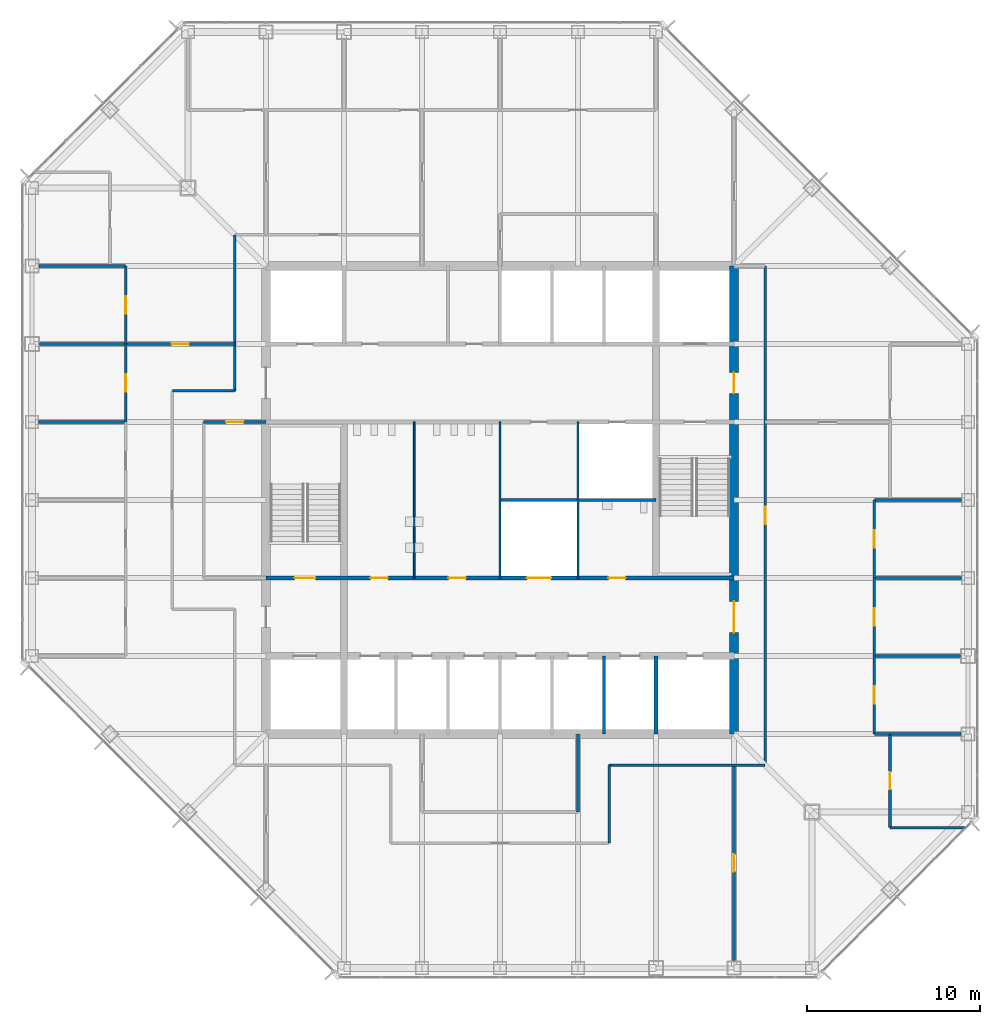
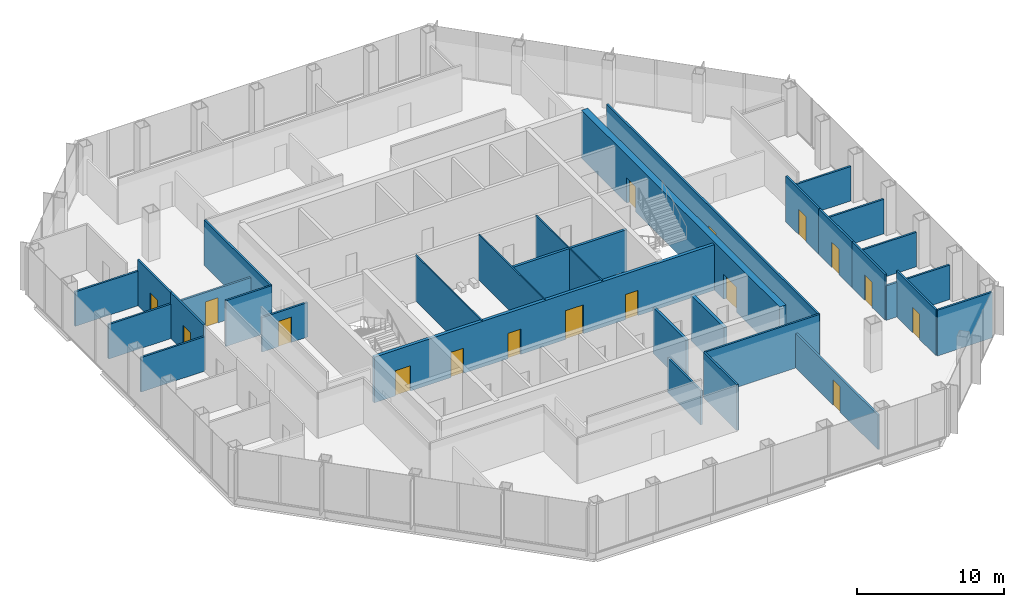
# One storey, part 9 of 13: 32 walls, 17 doors, 17 openings.
"""IFC4 building model written with IfcOpenShell, lengths in metres."""

from ifc_helpers import new_model, si_unit, direction, frame, frame_2d, origin, place, context, subcontext, project, spatial, rectangle, extrude, material, layer, layer_set, type_object, element, fill, save


model = new_model("IFC4")

# Units and contexts
model_context = context("Model", 3, precision=1e-05, world=origin(), true_north=direction((0.0, 1.0)))
body_context = subcontext(model_context, "Body", "Model", "MODEL_VIEW")
ifc_project = project(units=[si_unit("LENGTHUNIT", "METRE"), si_unit("AREAUNIT", "SQUARE_METRE"), si_unit("VOLUMEUNIT", "CUBIC_METRE"), si_unit("PLANEANGLEUNIT", "RADIAN"), si_unit("MASSUNIT", "GRAM", prefix="KILO")], contexts=[model_context])

# Site, building, storey
site_placement = place(None, origin())
site = spatial("IfcSite", under=ifc_project, at=site_placement, CompositionType="ELEMENT")
building_placement = place(site_placement, origin())
building = spatial("IfcBuilding", under=site, at=building_placement, Name="Corais Broadcast Tower", CompositionType="ELEMENT")
storey_placement = place(building_placement, frame((0.0, 0.0, 195.60009765625)))
storey = spatial("IfcBuildingStorey", under=building, at=storey_placement, Name="L45", CompositionType="ELEMENT", Elevation=195.60009765625)

# Wall
ifc_material_1 = material(Name="Concrete blockwork class A, grouted, two-hour", Category="masonry")
ifc_layer_1 = layer(ifc_material_1, 0.25)
ifc_layer_set_1 = layer_set([ifc_layer_1], Name="Concrete blockwork class A, grouted, two-hour")
wall_type_1 = type_object("IfcWallType", Name="Core lobby wall 250", PredefinedType="SOLIDWALL", material=ifc_layer_set_1)
wall_1_placement = place(storey_placement, frame((36.0, 13.5, 0.0), z_axis=(0.0, 0.0, 1.0), x_axis=(0.0, 1.0, 0.0)))
element("IfcWall", 1, at=wall_1_placement, inside=storey, type_object=wall_type_1, Name="CL2 core shaft wall X36A L45", PredefinedType="SOLIDWALL", context=body_context, shape_type="SweptSolid", body=[
    extrude(rectangle(XDim=4.5, YDim=0.25, at=frame_2d((2.25, 0.0))), origin(), (0.0, 0.0, 1.0), 3.7998046875),
])

# Wall, openings, doors
wall_2_placement = place(storey_placement, frame((13.5, 22.5, 0.0), z_axis=(0.0, 0.0, 1.0), x_axis=(1.0, 0.0, 0.0)))
wall_2 = element("IfcWall", 2, at=wall_2_placement, inside=storey, type_object=wall_type_1, Name="CL2 core lobby wall Y225 L45", PredefinedType="SOLIDWALL", context=body_context, shape_type="SweptSolid", body=[
    extrude(rectangle(XDim=27.0, YDim=0.25, at=frame_2d((13.5, 0.0))), origin(), (0.0, 0.0, 1.0), 3.7998046875),
])
opening_1_placement = place(wall_2_placement, frame((1.64990234375, 0.0, 0.0)))
opening_1 = element("IfcOpeningElement", 3, at=opening_1_placement, cuts=wall_2, Name="Opening FD1", PredefinedType="OPENING", context=body_context, shape_type="SweptSolid", body=[
    extrude(rectangle(XDim=1.199951171875, YDim=2.10009765625, at=frame_2d((0.60009765625, 1.050048828125))), frame((0.0, 0.135009765625, 0.0), z_axis=(0.0, -1.0, 0.0), x_axis=(1.0, 0.0, 0.0)), (0.0, 0.0, 1.0), 0.27001953125),
])
opening_2_placement = place(wall_2_placement, frame((6.02490234375, 0.0, 0.0)))
opening_2 = element("IfcOpeningElement", 4, at=opening_2_placement, cuts=wall_2, Name="Opening WD1", PredefinedType="OPENING", context=body_context, shape_type="SweptSolid", body=[
    extrude(rectangle(XDim=1.0, YDim=2.10009765625, at=frame_2d((0.5, 1.050048828125))), frame((0.0, 0.135009765625, 0.0), z_axis=(0.0, -1.0, 0.0), x_axis=(1.0, 0.0, 0.0)), (0.0, 0.0, 1.0), 0.27001953125),
])
opening_3_placement = place(wall_2_placement, frame((10.52490234375, 0.0, 0.0)))
opening_3 = element("IfcOpeningElement", 5, at=opening_3_placement, cuts=wall_2, Name="Opening WD1", PredefinedType="OPENING", context=body_context, shape_type="SweptSolid", body=[
    extrude(rectangle(XDim=1.0, YDim=2.10009765625, at=frame_2d((0.5, 1.050048828125))), frame((0.0, 0.135009765625, 0.0), z_axis=(0.0, -1.0, 0.0), x_axis=(1.0, 0.0, 0.0)), (0.0, 0.0, 1.0), 0.27001953125),
])
opening_4_placement = place(wall_2_placement, frame((19.75, 0.0, 0.0)))
opening_4 = element("IfcOpeningElement", 6, at=opening_4_placement, cuts=wall_2, Name="Opening WD1", PredefinedType="OPENING", context=body_context, shape_type="SweptSolid", body=[
    extrude(rectangle(XDim=1.0, YDim=2.10009765625, at=frame_2d((0.5, 1.050048828125))), frame((0.0, 0.135009765625, 0.0), z_axis=(0.0, -1.0, 0.0), x_axis=(1.0, 0.0, 0.0)), (0.0, 0.0, 1.0), 0.27001953125),
])
opening_5_placement = place(wall_2_placement, frame((15.050048828125, 0.0, 0.0)))
opening_5 = element("IfcOpeningElement", 7, at=opening_5_placement, cuts=wall_2, Name="Opening LD3", PredefinedType="OPENING", context=body_context, shape_type="SweptSolid", body=[
    extrude(rectangle(XDim=1.39990234375, YDim=2.39990234375, at=frame_2d((0.699951171875, 1.199951171875))), frame((0.0, 0.135009765625, 0.0), z_axis=(0.0, -1.0, 0.0), x_axis=(1.0, 0.0, 0.0)), (0.0, 0.0, 1.0), 0.27001953125),
])
ifc_material_2 = material(Name="Steel fire door", Category="steel")
door_type_1 = type_object("IfcDoorType", Name="Fire door 1200x2100", OperationType="SINGLE_SWING_LEFT", PredefinedType="DOOR", material=ifc_material_2)
door_1_placement = place(opening_1_placement, origin())
door_1 = element("IfcDoor", 8, at=door_1_placement, inside=storey, type_object=door_type_1, Name="FD1 stair A door L45", OperationType="SINGLE_SWING_LEFT", OverallHeight=2.10009765625, OverallWidth=1.199951171875, PredefinedType="DOOR", context=body_context, shape_type="SweptSolid", body=[
    extrude(rectangle(XDim=1.199951171875, YDim=2.10009765625, at=frame_2d((0.60009765625, 1.050048828125))), frame((0.0, 0.02490234375, 0.0), z_axis=(0.0, -1.0, 0.0), x_axis=(1.0, 0.0, 0.0)), (0.0, 0.0, 1.0), 0.050048828125),
])
fill(opening_1, door_1)
ifc_material_3 = material(Name="Stainless steel lift door", Category="steel")
door_type_2 = type_object("IfcDoorType", Name="Service lift landing door 1400x2400", OperationType="SLIDING_TO_LEFT", PredefinedType="DOOR", material=ifc_material_3)
door_2_placement = place(opening_5_placement, origin())
door_2 = element("IfcDoor", 9, at=door_2_placement, inside=storey, type_object=door_type_2, Name="LD3 SL1 landing door L45", OperationType="SLIDING_TO_LEFT", OverallHeight=2.39990234375, OverallWidth=1.39990234375, PredefinedType="DOOR", context=body_context, shape_type="SweptSolid", body=[
    extrude(rectangle(XDim=1.39990234375, YDim=2.39990234375, at=frame_2d((0.699951171875, 1.199951171875))), frame((0.0, 0.02490234375, 0.0), z_axis=(0.0, -1.0, 0.0), x_axis=(1.0, 0.0, 0.0)), (0.0, 0.0, 1.0), 0.050048828125),
])
fill(opening_5, door_2)
ifc_material_4 = material(Name="Timber door", Category="wood")
door_type_3 = type_object("IfcDoorType", Name="Toilet door 1000x2100", OperationType="SINGLE_SWING_LEFT", PredefinedType="DOOR", material=ifc_material_4)
door_3_placement = place(opening_2_placement, origin())
door_3 = element("IfcDoor", 10, at=door_3_placement, inside=storey, type_object=door_type_3, Name="WD1 WC male door L45", OperationType="SINGLE_SWING_LEFT", OverallHeight=2.10009765625, OverallWidth=1.0, PredefinedType="DOOR", context=body_context, shape_type="SweptSolid", body=[
    extrude(rectangle(XDim=1.0, YDim=2.10009765625, at=frame_2d((0.5, 1.050048828125))), frame((0.0, 0.02490234375, 0.0), z_axis=(0.0, -1.0, 0.0), x_axis=(1.0, 0.0, 0.0)), (0.0, 0.0, 1.0), 0.050048828125),
])
fill(opening_2, door_3)
door_4_placement = place(opening_3_placement, origin())
door_4 = element("IfcDoor", 11, at=door_4_placement, inside=storey, type_object=door_type_3, Name="WD1 WC female door L45", OperationType="SINGLE_SWING_LEFT", OverallHeight=2.10009765625, OverallWidth=1.0, PredefinedType="DOOR", context=body_context, shape_type="SweptSolid", body=[
    extrude(rectangle(XDim=1.0, YDim=2.10009765625, at=frame_2d((0.5, 1.050048828125))), frame((0.0, 0.02490234375, 0.0), z_axis=(0.0, -1.0, 0.0), x_axis=(1.0, 0.0, 0.0)), (0.0, 0.0, 1.0), 0.050048828125),
])
fill(opening_3, door_4)
door_5_placement = place(opening_4_placement, origin())
door_5 = element("IfcDoor", 12, at=door_5_placement, inside=storey, type_object=door_type_3, Name="WD1 accessible WC door L45", OperationType="SINGLE_SWING_RIGHT", OverallHeight=2.10009765625, OverallWidth=1.0, PredefinedType="DOOR", context=body_context, shape_type="SweptSolid", body=[
    extrude(rectangle(XDim=1.0, YDim=2.10009765625, at=frame_2d((0.5, 1.050048828125))), frame((0.0, 0.02490234375, 0.0), z_axis=(0.0, -1.0, 0.0), x_axis=(1.0, 0.0, 0.0)), (0.0, 0.0, 1.0), 0.050048828125),
])
fill(opening_4, door_5)

ifc_material_5 = material(Name="Concrete C50/60", Category="concrete")
ifc_layer_2 = layer(ifc_material_5, 0.5)
ifc_layer_set_2 = layer_set([ifc_layer_2], Name="Concrete C50/60")
wall_type_2 = type_object("IfcWallType", Name="Core wall 500", PredefinedType="SHEAR", material=ifc_layer_set_2)
wall_3_placement = place(storey_placement, frame((40.5, 13.5, 0.0), z_axis=(0.0, 0.0, 1.0), x_axis=(0.0, 1.0, 0.0)))
wall_3 = element("IfcWall", 13, at=wall_3_placement, inside=storey, type_object=wall_type_2, Name="CR500 core wall E L45", PredefinedType="SHEAR", context=body_context, shape_type="SweptSolid", body=[
    extrude(rectangle(XDim=27.0, YDim=0.5, at=frame_2d((13.5, 0.0))), origin(), (0.0, 0.0, 1.0), 4.0),
])
opening_6_placement = place(wall_3_placement, frame((5.85009765625, 0.0, 0.0)))
opening_6 = element("IfcOpeningElement", 14, at=opening_6_placement, cuts=wall_3, Name="Opening FD2", PredefinedType="OPENING", context=body_context, shape_type="SweptSolid", body=[
    extrude(rectangle(XDim=1.800048828125, YDim=2.10009765625, at=frame_2d((0.89990234375, 1.050048828125))), frame((0.0, 0.260009765625, 0.0), z_axis=(0.0, -1.0, 0.0), x_axis=(1.0, 0.0, 0.0)), (0.0, 0.0, 1.0), 0.52001953125),
])
opening_7_placement = place(wall_3_placement, frame((19.64990234375, 0.0, 0.0)))
opening_7 = element("IfcOpeningElement", 15, at=opening_7_placement, cuts=wall_3, Name="Opening FD1", PredefinedType="OPENING", context=body_context, shape_type="SweptSolid", body=[
    extrude(rectangle(XDim=1.199951171875, YDim=2.10009765625, at=frame_2d((0.60009765625, 1.050048828125))), frame((0.0, 0.260009765625, 0.0), z_axis=(0.0, -1.0, 0.0), x_axis=(1.0, 0.0, 0.0)), (0.0, 0.0, 1.0), 0.52001953125),
])
door_6_placement = place(opening_7_placement, origin())
door_6 = element("IfcDoor", 16, at=door_6_placement, inside=storey, type_object=door_type_1, Name="FD1 fire lobby B door L45", OperationType="SINGLE_SWING_RIGHT", OverallHeight=2.10009765625, OverallWidth=1.199951171875, PredefinedType="DOOR", context=body_context, shape_type="SweptSolid", body=[
    extrude(rectangle(XDim=1.199951171875, YDim=2.10009765625, at=frame_2d((0.60009765625, 1.050048828125))), frame((0.0, 0.02490234375, 0.0), z_axis=(0.0, -1.0, 0.0), x_axis=(1.0, 0.0, 0.0)), (0.0, 0.0, 1.0), 0.050048828125),
])
fill(opening_7, door_6)
ifc_material_6 = material(Name="Steel fire door", Category="steel")
door_type_4 = type_object("IfcDoorType", Name="Fire door pair 1800x2100", OperationType="DOUBLE_DOOR_SINGLE_SWING", PredefinedType="DOOR", material=ifc_material_6)
door_7_placement = place(opening_6_placement, origin())
door_7 = element("IfcDoor", 17, at=door_7_placement, inside=storey, type_object=door_type_4, Name="FD2 lift lobby door L45", OperationType="SINGLE_SWING_LEFT", OverallHeight=2.10009765625, OverallWidth=1.800048828125, PredefinedType="DOOR", context=body_context, shape_type="SweptSolid", body=[
    extrude(rectangle(XDim=1.800048828125, YDim=2.10009765625, at=frame_2d((0.89990234375, 1.050048828125))), frame((0.0, 0.02490234375, 0.0), z_axis=(0.0, -1.0, 0.0), x_axis=(1.0, 0.0, 0.0)), (0.0, 0.0, 1.0), 0.050048828125),
])
fill(opening_6, door_7)

# Wall, opening, door
ifc_material_7 = material(Name="Gypsum board on steel studs", Category="steel")
ifc_layer_3 = layer(ifc_material_7, 0.14990234375)
ifc_layer_set_3 = layer_set([ifc_layer_3], Name="Gypsum board on steel studs")
wall_type_3 = type_object("IfcWallType", Name="Partition 150", PredefinedType="PARTITIONING", material=ifc_layer_set_3)
wall_4_placement = place(storey_placement, frame((42.300048828125, 11.699951171875, 0.0), z_axis=(0.0, 0.0, 1.0), x_axis=(0.0, 1.0, 0.0)))
wall_4 = element("IfcWall", 18, at=wall_4_placement, inside=storey, type_object=wall_type_3, Name="IW3 corridor wall L45", PredefinedType="PARTITIONING", context=body_context, shape_type="SweptSolid", body=[
    extrude(rectangle(XDim=28.800048828125, YDim=0.14990234375, at=frame_2d((14.39990234375, 0.0))), origin(), (0.0, 0.0, 1.0), 3.7998046875),
])
opening_8_placement = place(wall_4_placement, frame((13.89990234375, 0.0, 0.0)))
opening_8 = element("IfcOpeningElement", 19, at=opening_8_placement, cuts=wall_4, Name="Opening D1", PredefinedType="OPENING", context=body_context, shape_type="SweptSolid", body=[
    extrude(rectangle(XDim=1.0, YDim=2.10009765625, at=frame_2d((0.5, 1.050048828125))), frame((0.0, 0.0849609375, 0.0), z_axis=(0.0, -1.0, 0.0), x_axis=(1.0, 0.0, 0.0)), (0.0, 0.0, 1.0), 0.169921875),
])
ifc_material_8 = material(Name="Timber door", Category="wood")
door_type_5 = type_object("IfcDoorType", Name="Single door 1000x2100", OperationType="SINGLE_SWING_LEFT", PredefinedType="DOOR", material=ifc_material_8)
door_8_placement = place(opening_8_placement, origin())
door_8 = element("IfcDoor", 20, at=door_8_placement, inside=storey, type_object=door_type_5, Name="D1 workplace door L45", OperationType="SINGLE_SWING_LEFT", OverallHeight=2.10009765625, OverallWidth=1.0, PredefinedType="DOOR", context=body_context, shape_type="SweptSolid", body=[
    extrude(rectangle(XDim=1.0, YDim=2.10009765625, at=frame_2d((0.5, 1.050048828125))), frame((0.0, 0.02490234375, 0.0), z_axis=(0.0, -1.0, 0.0), x_axis=(1.0, 0.0, 0.0)), (0.0, 0.0, 1.0), 0.050048828125),
])
fill(opening_8, door_8)

# Walls
for number, where, z_axis, x_axis, name in (
    (21, (11.699951171875, 42.300048828125, 0.0), (0.0, 0.0, 1.0), (0.0, -1.0, 0.0), "IW3 corridor wall L45"),
    (22, (33.300048828125, 11.699951171875, 0.0), (0.0, 0.0, 1.0), (1.0, 0.0, 0.0), "IW3 corridor wall L45"),
):
    element("IfcWall", number, at=place(storey_placement, frame(where, z_axis=z_axis, x_axis=x_axis)), inside=storey, type_object=wall_type_3, Name=name, PredefinedType="PARTITIONING", context=body_context, shape_type="SweptSolid", body=[
        extrude(rectangle(XDim=9.0, YDim=0.14990234375, at=frame_2d((4.5, 0.0))), origin(), (0.0, 0.0, 1.0), 3.7998046875),
    ])
wall_5_placement = place(storey_placement, frame((33.300048828125, 7.199951171875, 0.0), z_axis=(0.0, 0.0, 1.0), x_axis=(0.0, 1.0, 0.0)))
element("IfcWall", 23, at=wall_5_placement, inside=storey, type_object=wall_type_3, Name="IW3 corridor wall L45", PredefinedType="PARTITIONING", context=body_context, shape_type="SweptSolid", body=[
    extrude(rectangle(XDim=4.5, YDim=0.14990234375, at=frame_2d((2.25, 0.0))), origin(), (0.0, 0.0, 1.0), 3.7998046875),
])
wall_6_placement = place(storey_placement, frame((11.699951171875, 33.300048828125, 0.0), z_axis=(0.0, 0.0, 1.0), x_axis=(-1.0, 0.0, 0.0)))
element("IfcWall", 24, at=wall_6_placement, inside=storey, type_object=wall_type_3, Name="IW3 corridor wall L45", PredefinedType="PARTITIONING", context=body_context, shape_type="SweptSolid", body=[
    extrude(rectangle(XDim=3.599853515625, YDim=0.14990234375, at=frame_2d((1.7998046875, 0.0))), origin(), (0.0, 0.0, 1.0), 3.7998046875),
])
wall_7_placement = place(storey_placement, frame((49.5, 8.10009765625, 0.0), z_axis=(0.0, 0.0, 1.0), x_axis=(1.0, 0.0, 0.0)))
element("IfcWall", 25, at=wall_7_placement, inside=storey, type_object=wall_type_3, Name="IW3 partition L45", PredefinedType="PARTITIONING", context=body_context, shape_type="SweptSolid", body=[
    extrude(rectangle(XDim=4.33544921875, YDim=0.14990234375, at=frame_2d((2.167724609375, 0.0))), origin(), (0.0, 0.0, 1.0), 3.7998046875),
])
wall_8_placement = place(storey_placement, frame((53.590087890625, 13.5, 0.0), z_axis=(0.0, 0.0, 1.0), x_axis=(-1.0, 0.0, 0.0)))
element("IfcWall", 26, at=wall_8_placement, inside=storey, type_object=wall_type_3, Name="IW3 partition L45", PredefinedType="PARTITIONING", context=body_context, shape_type="SweptSolid", body=[
    extrude(rectangle(XDim=4.090087890625, YDim=0.14990234375, at=frame_2d((2.044921875, 0.0))), origin(), (0.0, 0.0, 1.0), 2.867919921875),
])

# Wall, opening, door
wall_9_placement = place(storey_placement, frame((49.5, 13.5, 0.0), z_axis=(0.0, 0.0, 1.0), x_axis=(0.0, -1.0, 0.0)))
wall_9 = element("IfcWall", 27, at=wall_9_placement, inside=storey, type_object=wall_type_3, Name="IW3 partition L45", PredefinedType="PARTITIONING", context=body_context, shape_type="SweptSolid", body=[
    extrude(rectangle(XDim=5.39990234375, YDim=0.14990234375, at=frame_2d((2.699951171875, 0.0))), origin(), (0.0, 0.0, 1.0), 3.7998046875),
])
opening_9_placement = place(wall_9_placement, frame((2.199951171875, 0.0, 0.0)))
opening_9 = element("IfcOpeningElement", 28, at=opening_9_placement, cuts=wall_9, Name="Opening D1", PredefinedType="OPENING", context=body_context, shape_type="SweptSolid", body=[
    extrude(rectangle(XDim=1.0, YDim=2.10009765625, at=frame_2d((0.5, 1.050048828125))), frame((0.0, 0.0849609375, 0.0), z_axis=(0.0, -1.0, 0.0), x_axis=(1.0, 0.0, 0.0)), (0.0, 0.0, 1.0), 0.169921875),
])
door_9_placement = place(opening_9_placement, origin())
door_9 = element("IfcDoor", 29, at=door_9_placement, inside=storey, type_object=door_type_5, Name="D1 Counselling room door", OperationType="SINGLE_SWING_LEFT", OverallHeight=2.10009765625, OverallWidth=1.0, PredefinedType="DOOR", context=body_context, shape_type="SweptSolid", body=[
    extrude(rectangle(XDim=1.0, YDim=2.10009765625, at=frame_2d((0.5, 1.050048828125))), frame((0.0, 0.02490234375, 0.0), z_axis=(0.0, -1.0, 0.0), x_axis=(1.0, 0.0, 0.0)), (0.0, 0.0, 1.0), 0.050048828125),
])
fill(opening_9, door_9)

# Walls
wall_10_placement = place(storey_placement, frame((48.60009765625, 13.5, 0.0), z_axis=(0.0, 0.0, 1.0), x_axis=(1.0, 0.0, 0.0)))
element("IfcWall", 30, at=wall_10_placement, inside=storey, type_object=wall_type_3, Name="IW3 partition L45", PredefinedType="PARTITIONING", context=body_context, shape_type="SweptSolid", body=[
    extrude(rectangle(XDim=0.89990234375, YDim=0.14990234375, at=frame_2d((0.449951171875, 0.0))), origin(), (0.0, 0.0, 1.0), 2.867919921875),
])
wall_11_placement = place(storey_placement, frame((53.56494140625, 18.0, 0.0), z_axis=(0.0, 0.0, 1.0), x_axis=(-1.0, 0.0, 0.0)))
element("IfcWall", 31, at=wall_11_placement, inside=storey, type_object=wall_type_3, Name="IW3 partition L45", PredefinedType="PARTITIONING", context=body_context, shape_type="SweptSolid", body=[
    extrude(rectangle(XDim=4.96484375, YDim=0.14990234375, at=frame_2d((2.482421875, 0.0))), origin(), (0.0, 0.0, 1.0), 2.867919921875),
])

# Wall, opening, door
wall_12_placement = place(storey_placement, frame((48.60009765625, 18.0, 0.0), z_axis=(0.0, 0.0, 1.0), x_axis=(0.0, -1.0, 0.0)))
wall_12 = element("IfcWall", 32, at=wall_12_placement, inside=storey, type_object=wall_type_3, Name="IW3 partition L45", PredefinedType="PARTITIONING", context=body_context, shape_type="SweptSolid", body=[
    extrude(rectangle(XDim=4.5, YDim=0.14990234375, at=frame_2d((2.25, 0.0))), origin(), (0.0, 0.0, 1.0), 3.7998046875),
])
opening_10_placement = place(wall_12_placement, frame((1.75, 0.0, 0.0)))
opening_10 = element("IfcOpeningElement", 33, at=opening_10_placement, cuts=wall_12, Name="Opening D1", PredefinedType="OPENING", context=body_context, shape_type="SweptSolid", body=[
    extrude(rectangle(XDim=1.0, YDim=2.10009765625, at=frame_2d((0.5, 1.050048828125))), frame((0.0, 0.0849609375, 0.0), z_axis=(0.0, -1.0, 0.0), x_axis=(1.0, 0.0, 0.0)), (0.0, 0.0, 1.0), 0.169921875),
])
door_10_placement = place(opening_10_placement, origin())
door_10 = element("IfcDoor", 34, at=door_10_placement, inside=storey, type_object=door_type_5, Name="D1 Counselling room door", OperationType="SINGLE_SWING_LEFT", OverallHeight=2.10009765625, OverallWidth=1.0, PredefinedType="DOOR", context=body_context, shape_type="SweptSolid", body=[
    extrude(rectangle(XDim=1.0, YDim=2.10009765625, at=frame_2d((0.5, 1.050048828125))), frame((0.0, 0.02490234375, 0.0), z_axis=(0.0, -1.0, 0.0), x_axis=(1.0, 0.0, 0.0)), (0.0, 0.0, 1.0), 0.050048828125),
])
fill(opening_10, door_10)

# Wall
wall_13_placement = place(storey_placement, frame((53.614990234375, 22.5, 0.0), z_axis=(0.0, 0.0, 1.0), x_axis=(-1.0, 0.0, 0.0)))
element("IfcWall", 35, at=wall_13_placement, inside=storey, type_object=wall_type_3, Name="IW3 partition L45", PredefinedType="PARTITIONING", context=body_context, shape_type="SweptSolid", body=[
    extrude(rectangle(XDim=5.014892578125, YDim=0.14990234375, at=frame_2d((2.50732421875, 0.0))), origin(), (0.0, 0.0, 1.0), 2.867919921875),
])

# Wall, opening, door
wall_14_placement = place(storey_placement, frame((48.60009765625, 22.5, 0.0), z_axis=(0.0, 0.0, 1.0), x_axis=(0.0, -1.0, 0.0)))
wall_14 = element("IfcWall", 36, at=wall_14_placement, inside=storey, type_object=wall_type_3, Name="IW3 partition L45", PredefinedType="PARTITIONING", context=body_context, shape_type="SweptSolid", body=[
    extrude(rectangle(XDim=4.5, YDim=0.14990234375, at=frame_2d((2.25, 0.0))), origin(), (0.0, 0.0, 1.0), 3.7998046875),
])
opening_11_placement = place(wall_14_placement, frame((1.75, 0.0, 0.0)))
opening_11 = element("IfcOpeningElement", 37, at=opening_11_placement, cuts=wall_14, Name="Opening D1", PredefinedType="OPENING", context=body_context, shape_type="SweptSolid", body=[
    extrude(rectangle(XDim=1.0, YDim=2.10009765625, at=frame_2d((0.5, 1.050048828125))), frame((0.0, 0.0849609375, 0.0), z_axis=(0.0, -1.0, 0.0), x_axis=(1.0, 0.0, 0.0)), (0.0, 0.0, 1.0), 0.169921875),
])
door_11_placement = place(opening_11_placement, origin())
door_11 = element("IfcDoor", 38, at=door_11_placement, inside=storey, type_object=door_type_5, Name="D1 Counselling room door", OperationType="SINGLE_SWING_LEFT", OverallHeight=2.10009765625, OverallWidth=1.0, PredefinedType="DOOR", context=body_context, shape_type="SweptSolid", body=[
    extrude(rectangle(XDim=1.0, YDim=2.10009765625, at=frame_2d((0.5, 1.050048828125))), frame((0.0, 0.02490234375, 0.0), z_axis=(0.0, -1.0, 0.0), x_axis=(1.0, 0.0, 0.0)), (0.0, 0.0, 1.0), 0.050048828125),
])
fill(opening_11, door_11)

# Wall
wall_15_placement = place(storey_placement, frame((53.614990234375, 27.0, 0.0), z_axis=(0.0, 0.0, 1.0), x_axis=(-1.0, 0.0, 0.0)))
element("IfcWall", 39, at=wall_15_placement, inside=storey, type_object=wall_type_3, Name="IW3 partition L45", PredefinedType="PARTITIONING", context=body_context, shape_type="SweptSolid", body=[
    extrude(rectangle(XDim=5.014892578125, YDim=0.14990234375, at=frame_2d((2.50732421875, 0.0))), origin(), (0.0, 0.0, 1.0), 2.867919921875),
])

# Wall, opening, door
wall_16_placement = place(storey_placement, frame((48.60009765625, 27.0, 0.0), z_axis=(0.0, 0.0, 1.0), x_axis=(0.0, -1.0, 0.0)))
wall_16 = element("IfcWall", 40, at=wall_16_placement, inside=storey, type_object=wall_type_3, Name="IW3 partition L45", PredefinedType="PARTITIONING", context=body_context, shape_type="SweptSolid", body=[
    extrude(rectangle(XDim=4.5, YDim=0.14990234375, at=frame_2d((2.25, 0.0))), origin(), (0.0, 0.0, 1.0), 3.7998046875),
])
opening_12_placement = place(wall_16_placement, frame((1.75, 0.0, 0.0)))
opening_12 = element("IfcOpeningElement", 41, at=opening_12_placement, cuts=wall_16, Name="Opening D1", PredefinedType="OPENING", context=body_context, shape_type="SweptSolid", body=[
    extrude(rectangle(XDim=1.0, YDim=2.10009765625, at=frame_2d((0.5, 1.050048828125))), frame((0.0, 0.0849609375, 0.0), z_axis=(0.0, -1.0, 0.0), x_axis=(1.0, 0.0, 0.0)), (0.0, 0.0, 1.0), 0.169921875),
])
door_12_placement = place(opening_12_placement, origin())
door_12 = element("IfcDoor", 42, at=door_12_placement, inside=storey, type_object=door_type_5, Name="D1 Counselling room door", OperationType="SINGLE_SWING_LEFT", OverallHeight=2.10009765625, OverallWidth=1.0, PredefinedType="DOOR", context=body_context, shape_type="SweptSolid", body=[
    extrude(rectangle(XDim=1.0, YDim=2.10009765625, at=frame_2d((0.5, 1.050048828125))), frame((0.0, 0.02490234375, 0.0), z_axis=(0.0, -1.0, 0.0), x_axis=(1.0, 0.0, 0.0)), (0.0, 0.0, 1.0), 0.050048828125),
])
fill(opening_12, door_12)

wall_17_placement = place(storey_placement, frame((13.5, 31.5, 0.0), z_axis=(0.0, 0.0, 1.0), x_axis=(-1.0, 0.0, 0.0)))
wall_17 = element("IfcWall", 43, at=wall_17_placement, inside=storey, type_object=wall_type_3, Name="IW3 partition L45", PredefinedType="PARTITIONING", context=body_context, shape_type="SweptSolid", body=[
    extrude(rectangle(XDim=3.60009765625, YDim=0.14990234375, at=frame_2d((1.800048828125, 0.0))), origin(), (0.0, 0.0, 1.0), 2.867919921875),
])
opening_13_placement = place(wall_17_placement, frame((1.300048828125, 0.0, 0.0)))
opening_13 = element("IfcOpeningElement", 44, at=opening_13_placement, cuts=wall_17, Name="Opening D1", PredefinedType="OPENING", context=body_context, shape_type="SweptSolid", body=[
    extrude(rectangle(XDim=1.0, YDim=2.10009765625, at=frame_2d((0.5, 1.050048828125))), frame((0.0, 0.0849609375, 0.0), z_axis=(0.0, -1.0, 0.0), x_axis=(1.0, 0.0, 0.0)), (0.0, 0.0, 1.0), 0.169921875),
])
door_13_placement = place(opening_13_placement, origin())
door_13 = element("IfcDoor", 45, at=door_13_placement, inside=storey, type_object=door_type_5, Name="D1 Pantry door", OperationType="SINGLE_SWING_LEFT", OverallHeight=2.10009765625, OverallWidth=1.0, PredefinedType="DOOR", context=body_context, shape_type="SweptSolid", body=[
    extrude(rectangle(XDim=1.0, YDim=2.10009765625, at=frame_2d((0.5, 1.050048828125))), frame((0.0, 0.02490234375, 0.0), z_axis=(0.0, -1.0, 0.0), x_axis=(1.0, 0.0, 0.0)), (0.0, 0.0, 1.0), 0.050048828125),
])
fill(opening_13, door_13)

# Walls
wall_18_placement = place(storey_placement, frame((31.5, 9.0, 0.0), z_axis=(0.0, 0.0, 1.0), x_axis=(0.0, 1.0, 0.0)))
element("IfcWall", 46, at=wall_18_placement, inside=storey, type_object=wall_type_3, Name="IW3 partition L45", PredefinedType="PARTITIONING", context=body_context, shape_type="SweptSolid", body=[
    extrude(rectangle(XDim=4.5, YDim=0.14990234375, at=frame_2d((2.25, 0.0))), origin(), (0.0, 0.0, 1.0), 2.867919921875),
])
wall_19_placement = place(storey_placement, frame((5.39990234375, 31.5, 0.0), z_axis=(0.0, 0.0, 1.0), x_axis=(-1.0, 0.0, 0.0)))
element("IfcWall", 47, at=wall_19_placement, inside=storey, type_object=wall_type_3, Name="IW3 partition L45", PredefinedType="PARTITIONING", context=body_context, shape_type="SweptSolid", body=[
    extrude(rectangle(XDim=5.014892578125, YDim=0.14990234375, at=frame_2d((2.50732421875, 0.0))), origin(), (0.0, 0.0, 1.0), 2.867919921875),
])

# Wall, opening, door
wall_20_placement = place(storey_placement, frame((5.39990234375, 31.5, 0.0), z_axis=(0.0, 0.0, 1.0), x_axis=(0.0, 1.0, 0.0)))
wall_20 = element("IfcWall", 48, at=wall_20_placement, inside=storey, type_object=wall_type_3, Name="IW3 partition L45", PredefinedType="PARTITIONING", context=body_context, shape_type="SweptSolid", body=[
    extrude(rectangle(XDim=4.5, YDim=0.14990234375, at=frame_2d((2.25, 0.0))), origin(), (0.0, 0.0, 1.0), 3.7998046875),
])
opening_14_placement = place(wall_20_placement, frame((1.75, 0.0, 0.0)))
opening_14 = element("IfcOpeningElement", 49, at=opening_14_placement, cuts=wall_20, Name="Opening D1", PredefinedType="OPENING", context=body_context, shape_type="SweptSolid", body=[
    extrude(rectangle(XDim=1.0, YDim=2.10009765625, at=frame_2d((0.5, 1.050048828125))), frame((0.0, 0.0849609375, 0.0), z_axis=(0.0, -1.0, 0.0), x_axis=(1.0, 0.0, 0.0)), (0.0, 0.0, 1.0), 0.169921875),
])
door_14_placement = place(opening_14_placement, origin())
door_14 = element("IfcDoor", 50, at=door_14_placement, inside=storey, type_object=door_type_5, Name="D1 Treatment room door", OperationType="SINGLE_SWING_LEFT", OverallHeight=2.10009765625, OverallWidth=1.0, PredefinedType="DOOR", context=body_context, shape_type="SweptSolid", body=[
    extrude(rectangle(XDim=1.0, YDim=2.10009765625, at=frame_2d((0.5, 1.050048828125))), frame((0.0, 0.02490234375, 0.0), z_axis=(0.0, -1.0, 0.0), x_axis=(1.0, 0.0, 0.0)), (0.0, 0.0, 1.0), 0.050048828125),
])
fill(opening_14, door_14)

# Wall
wall_21_placement = place(storey_placement, frame((5.39990234375, 36.0, 0.0), z_axis=(0.0, 0.0, 1.0), x_axis=(-1.0, 0.0, 0.0)))
element("IfcWall", 51, at=wall_21_placement, inside=storey, type_object=wall_type_3, Name="IW3 partition L45", PredefinedType="PARTITIONING", context=body_context, shape_type="SweptSolid", body=[
    extrude(rectangle(XDim=4.96484375, YDim=0.14990234375, at=frame_2d((2.482421875, 0.0))), origin(), (0.0, 0.0, 1.0), 2.867919921875),
])

# Wall, opening, door
wall_22_placement = place(storey_placement, frame((5.39990234375, 36.0, 0.0), z_axis=(0.0, 0.0, 1.0), x_axis=(0.0, 1.0, 0.0)))
wall_22 = element("IfcWall", 52, at=wall_22_placement, inside=storey, type_object=wall_type_3, Name="IW3 partition L45", PredefinedType="PARTITIONING", context=body_context, shape_type="SweptSolid", body=[
    extrude(rectangle(XDim=4.5, YDim=0.14990234375, at=frame_2d((2.25, 0.0))), origin(), (0.0, 0.0, 1.0), 3.7998046875),
])
opening_15_placement = place(wall_22_placement, frame((1.75, 0.0, 0.0)))
opening_15 = element("IfcOpeningElement", 53, at=opening_15_placement, cuts=wall_22, Name="Opening D1", PredefinedType="OPENING", context=body_context, shape_type="SweptSolid", body=[
    extrude(rectangle(XDim=1.0, YDim=2.10009765625, at=frame_2d((0.5, 1.050048828125))), frame((0.0, 0.0849609375, 0.0), z_axis=(0.0, -1.0, 0.0), x_axis=(1.0, 0.0, 0.0)), (0.0, 0.0, 1.0), 0.169921875),
])
door_15_placement = place(opening_15_placement, origin())
door_15 = element("IfcDoor", 54, at=door_15_placement, inside=storey, type_object=door_type_5, Name="D1 Treatment room door", OperationType="SINGLE_SWING_LEFT", OverallHeight=2.10009765625, OverallWidth=1.0, PredefinedType="DOOR", context=body_context, shape_type="SweptSolid", body=[
    extrude(rectangle(XDim=1.0, YDim=2.10009765625, at=frame_2d((0.5, 1.050048828125))), frame((0.0, 0.02490234375, 0.0), z_axis=(0.0, -1.0, 0.0), x_axis=(1.0, 0.0, 0.0)), (0.0, 0.0, 1.0), 0.050048828125),
])
fill(opening_15, door_15)

# Wall
wall_23_placement = place(storey_placement, frame((5.39990234375, 40.5, 0.0), z_axis=(0.0, 0.0, 1.0), x_axis=(-1.0, 0.0, 0.0)))
element("IfcWall", 55, at=wall_23_placement, inside=storey, type_object=wall_type_3, Name="IW3 partition L45", PredefinedType="PARTITIONING", context=body_context, shape_type="SweptSolid", body=[
    extrude(rectangle(XDim=4.989990234375, YDim=0.14990234375, at=frame_2d((2.4951171875, 0.0))), origin(), (0.0, 0.0, 1.0), 2.867919921875),
])

# Wall, opening, door
wall_24_placement = place(storey_placement, frame((40.5, 0.419921875, 0.0), z_axis=(0.0, 0.0, 1.0), x_axis=(0.0, 1.0, 0.0)))
wall_24 = element("IfcWall", 56, at=wall_24_placement, inside=storey, type_object=wall_type_3, Name="IW3 partition L45", PredefinedType="PARTITIONING", context=body_context, shape_type="SweptSolid", body=[
    extrude(rectangle(XDim=11.280029296875, YDim=0.14990234375, at=frame_2d((5.64013671875, 0.0))), origin(), (0.0, 0.0, 1.0), 2.867919921875),
])
opening_16_placement = place(wall_24_placement, frame((5.139892578125, 0.0, 0.0)))
opening_16 = element("IfcOpeningElement", 57, at=opening_16_placement, cuts=wall_24, Name="Opening D1", PredefinedType="OPENING", context=body_context, shape_type="SweptSolid", body=[
    extrude(rectangle(XDim=1.0, YDim=2.10009765625, at=frame_2d((0.5, 1.050048828125))), frame((0.0, 0.0849609375, 0.0), z_axis=(0.0, -1.0, 0.0), x_axis=(1.0, 0.0, 0.0)), (0.0, 0.0, 1.0), 0.169921875),
])
door_16_placement = place(opening_16_placement, origin())
door_16 = element("IfcDoor", 58, at=door_16_placement, inside=storey, type_object=door_type_5, Name="D1 team room door L45", OperationType="SINGLE_SWING_LEFT", OverallHeight=2.10009765625, OverallWidth=1.0, PredefinedType="DOOR", context=body_context, shape_type="SweptSolid", body=[
    extrude(rectangle(XDim=1.0, YDim=2.10009765625, at=frame_2d((0.5, 1.050048828125))), frame((0.0, 0.02490234375, 0.0), z_axis=(0.0, -1.0, 0.0), x_axis=(1.0, 0.0, 0.0)), (0.0, 0.0, 1.0), 0.050048828125),
])
fill(opening_16, door_16)

wall_25_placement = place(storey_placement, frame((5.39990234375, 36.0, 0.0), z_axis=(0.0, 0.0, 1.0), x_axis=(1.0, 0.0, 0.0)))
wall_25 = element("IfcWall", 59, at=wall_25_placement, inside=storey, type_object=wall_type_3, Name="IW3 partition L45", PredefinedType="PARTITIONING", context=body_context, shape_type="SweptSolid", body=[
    extrude(rectangle(XDim=6.300048828125, YDim=0.14990234375, at=frame_2d((3.14990234375, 0.0))), origin(), (0.0, 0.0, 1.0), 2.867919921875),
])
opening_17_placement = place(wall_25_placement, frame((2.64990234375, 0.0, 0.0)))
opening_17 = element("IfcOpeningElement", 60, at=opening_17_placement, cuts=wall_25, Name="Opening D1", PredefinedType="OPENING", context=body_context, shape_type="SweptSolid", body=[
    extrude(rectangle(XDim=1.0, YDim=2.10009765625, at=frame_2d((0.5, 1.050048828125))), frame((0.0, 0.0849609375, 0.0), z_axis=(0.0, -1.0, 0.0), x_axis=(1.0, 0.0, 0.0)), (0.0, 0.0, 1.0), 0.169921875),
])
door_17_placement = place(opening_17_placement, origin())
door_17 = element("IfcDoor", 61, at=door_17_placement, inside=storey, type_object=door_type_5, Name="D1 team room door L45", OperationType="SINGLE_SWING_LEFT", OverallHeight=2.10009765625, OverallWidth=1.0, PredefinedType="DOOR", context=body_context, shape_type="SweptSolid", body=[
    extrude(rectangle(XDim=1.0, YDim=2.10009765625, at=frame_2d((0.5, 1.050048828125))), frame((0.0, 0.02490234375, 0.0), z_axis=(0.0, -1.0, 0.0), x_axis=(1.0, 0.0, 0.0)), (0.0, 0.0, 1.0), 0.050048828125),
])
fill(opening_17, door_17)

# Walls
ifc_material_9 = material(Name="Concrete blockwork class A, grouted, two-hour", Category="masonry")
ifc_layer_4 = layer(ifc_material_9, 0.199951171875)
ifc_layer_set_4 = layer_set([ifc_layer_4], Name="Concrete blockwork class A, grouted, two-hour")
wall_type_4 = type_object("IfcWallType", Name="Shaft wall 200", PredefinedType="PARTITIONING", material=ifc_layer_set_4)
wall_26_placement = place(storey_placement, frame((33.0, 13.5, 0.0), z_axis=(0.0, 0.0, 1.0), x_axis=(0.0, 1.0, 0.0)))
element("IfcWall", 62, at=wall_26_placement, inside=storey, type_object=wall_type_4, Name="IW1 shaft wall L45", PredefinedType="PARTITIONING", context=body_context, shape_type="SweptSolid", body=[
    extrude(rectangle(XDim=4.5, YDim=0.199951171875, at=frame_2d((2.25, 0.0))), origin(), (0.0, 0.0, 1.0), 3.7998046875),
])
wall_27_placement = place(storey_placement, frame((27.0, 27.0, 0.0), z_axis=(0.0, 0.0, 1.0), x_axis=(1.0, 0.0, 0.0)))
element("IfcWall", 63, at=wall_27_placement, inside=storey, type_object=wall_type_4, Name="IW1 shaft wall L45", PredefinedType="PARTITIONING", context=body_context, shape_type="SweptSolid", body=[
    extrude(rectangle(XDim=9.0, YDim=0.199951171875, at=frame_2d((4.5, 0.0))), origin(), (0.0, 0.0, 1.0), 3.7998046875),
])
ifc_material_10 = material(Name="Dense concrete blockwork class A, tiled both faces", Category="masonry")
ifc_layer_5 = layer(ifc_material_10, 0.10009765625)
ifc_layer_set_5 = layer_set([ifc_layer_5], Name="Dense concrete blockwork class A, tiled both faces")
wall_type_5 = type_object("IfcWallType", Name="Toilet wall 100", PredefinedType="PLUMBINGWALL", material=ifc_layer_set_5)
for number, where, z_axis, x_axis, name in (
    (64, (22.050048828125, 22.5, 0.0), (0.0, 0.0, 1.0), (0.0, 1.0, 0.0), "IW2 toilet wall L45"),
    (65, (27.0, 22.5, 0.0), (0.0, 0.0, 1.0), (0.0, 1.0, 0.0), "IW2 toilet wall L45"),
    (66, (31.5, 22.5, 0.0), (0.0, 0.0, 1.0), (0.0, 1.0, 0.0), "IW2 toilet wall L45"),
):
    element("IfcWall", number, at=place(storey_placement, frame(where, z_axis=z_axis, x_axis=x_axis)), inside=storey, type_object=wall_type_5, Name=name, PredefinedType="PLUMBINGWALL", context=body_context, shape_type="SweptSolid", body=[
        extrude(rectangle(XDim=9.0, YDim=0.10009765625, at=frame_2d((4.5, 0.0))), origin(), (0.0, 0.0, 1.0), 3.7998046875),
    ])

save(model, "model.ifc")
